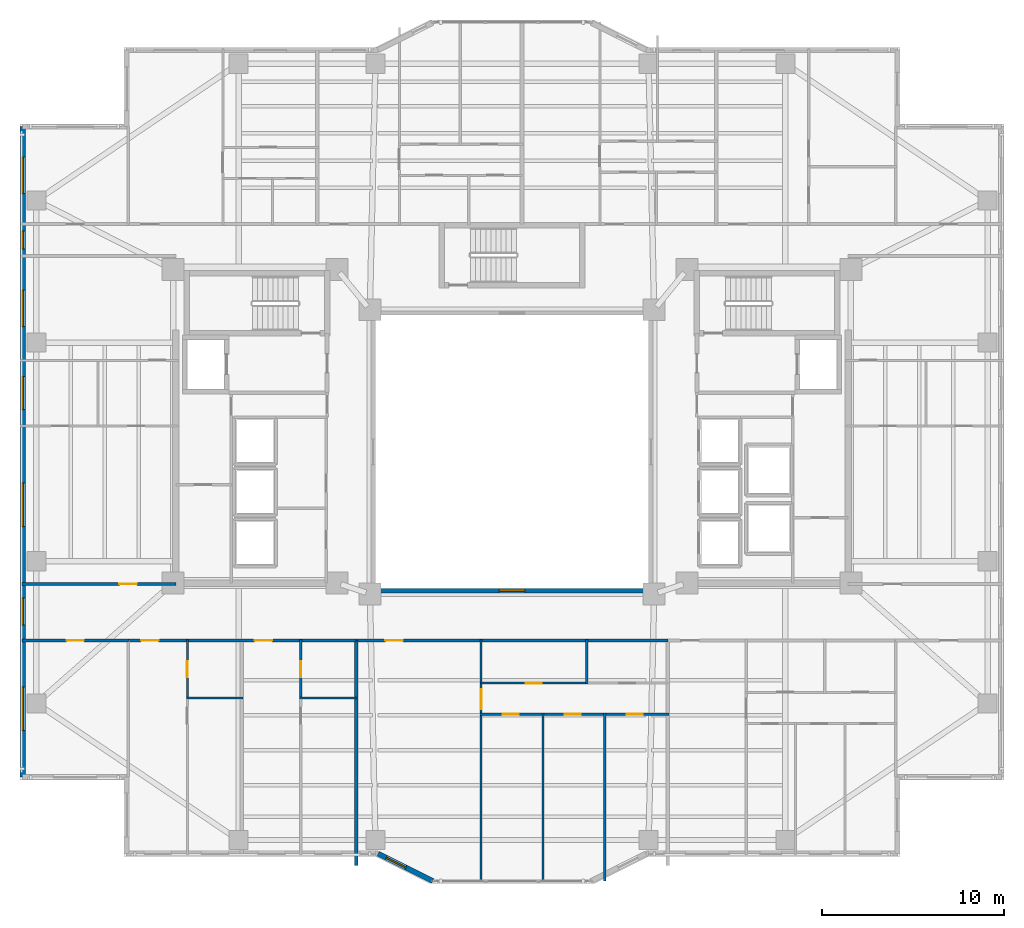
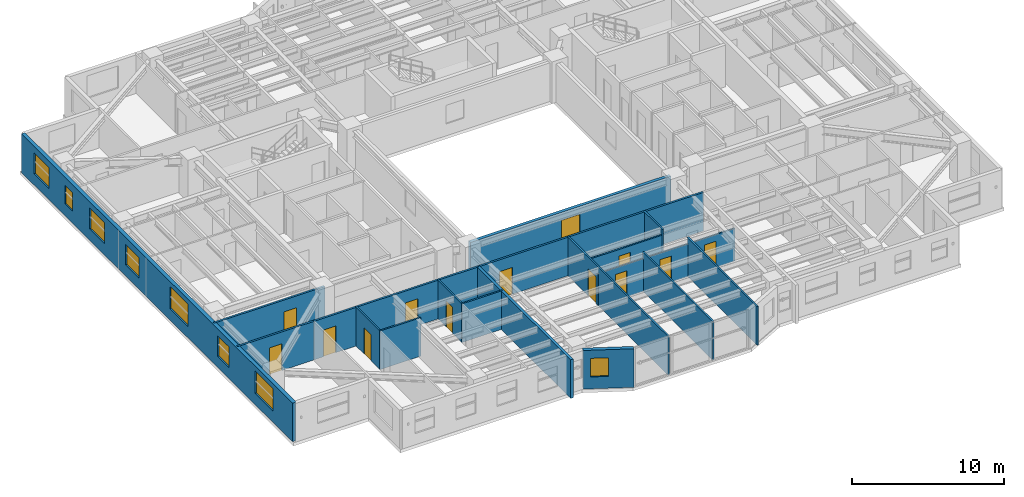
# One storey, part 6 of 19: 18 walls, 12 doors, 9 windows, 21 openings.
"""IFC4 building model written with IfcOpenShell, lengths in metres."""

from ifc_helpers import new_model, si_unit, direction, frame, frame_2d, origin, place, context, subcontext, project, spatial, rectangle, extrude, material, layer, layer_set, type_object, element, fill, save


model = new_model("IFC4")

# Units and contexts
model_context = context("Model", 3, precision=1e-05, world=origin(), true_north=direction((0.0, 1.0)))
body_context = subcontext(model_context, "Body", "Model", "MODEL_VIEW")
ifc_project = project(units=[si_unit("LENGTHUNIT", "METRE"), si_unit("AREAUNIT", "SQUARE_METRE"), si_unit("VOLUMEUNIT", "CUBIC_METRE"), si_unit("PLANEANGLEUNIT", "RADIAN"), si_unit("MASSUNIT", "GRAM", prefix="KILO")], contexts=[model_context])

# Site, building, storey
site_placement = place(None, origin())
site = spatial("IfcSite", under=ifc_project, at=site_placement, CompositionType="ELEMENT")
building_placement = place(site_placement, origin())
building = spatial("IfcBuilding", under=site, at=building_placement, Name="Tarnavaz Court Tower", CompositionType="ELEMENT")
storey_placement = place(building_placement, frame((0.0, 0.0, 81.64990234375)))
storey = spatial("IfcBuildingStorey", under=building, at=storey_placement, Name="L21", CompositionType="ELEMENT", Elevation=81.64990234375)

# Wall, openings, windows
ifc_material_1 = material(Name="Precast Concrete C40/50", Category="concrete")
ifc_layer_1 = layer(ifc_material_1, 0.280029296875)
ifc_layer_set_1 = layer_set([ifc_layer_1], Name="Precast Concrete C40/50")
wall_type_1 = type_object("IfcWallType", Name="WL-EXT-280", PredefinedType="SOLIDWALL", material=ifc_layer_set_1)
wall_1_placement = place(storey_placement, frame((-26.85009765625, -17.85009765625, 0.0), z_axis=(0.0, 0.0, 1.0), x_axis=(0.0, 1.0, 0.0)))
wall_1 = element("IfcWall", 1, at=wall_1_placement, inside=storey, type_object=wall_type_1, Name="L21 Exterior Terracotta Facade Wall 02", PredefinedType="SOLIDWALL", context=body_context, shape_type="SweptSolid", body=[
    extrude(rectangle(XDim=35.7001953125, YDim=0.280029296875, at=frame_2d((17.85009765625, 0.0))), origin(), (0.0, 0.0, 1.0), 3.10009765625),
])
opening_1_placement = place(wall_1_placement, frame((2.550048828125, 0.0, 0.89990234375)))
opening_1 = element("IfcOpeningElement", 2, at=opening_1_placement, cuts=wall_1, Name="Opening W06", PredefinedType="OPENING", context=body_context, shape_type="SweptSolid", body=[
    extrude(rectangle(XDim=2.39990234375, YDim=1.800048828125, at=frame_2d((1.199951171875, 0.89990234375))), frame((0.0, 0.14990234375, 0.0), z_axis=(0.0, -1.0, 0.0), x_axis=(1.0, 0.0, 0.0)), (0.0, 0.0, 1.0), 0.300048828125),
])
opening_2_placement = place(wall_1_placement, frame((8.342529296875, 0.0, 0.89990234375)))
opening_2 = element("IfcOpeningElement", 3, at=opening_2_placement, cuts=wall_1, Name="Opening W03", PredefinedType="OPENING", context=body_context, shape_type="SweptSolid", body=[
    extrude(rectangle(XDim=1.5, YDim=1.64990234375, at=frame_2d((0.75, 0.824951171875))), frame((0.0, 0.14990234375, 0.0), z_axis=(0.0, -1.0, 0.0), x_axis=(1.0, 0.0, 0.0)), (0.0, 0.0, 1.0), 0.300048828125),
])
opening_3_placement = place(wall_1_placement, frame((13.75, 0.0, 0.89990234375)))
opening_3 = element("IfcOpeningElement", 4, at=opening_3_placement, cuts=wall_1, Name="Opening W06", PredefinedType="OPENING", context=body_context, shape_type="SweptSolid", body=[
    extrude(rectangle(XDim=2.39990234375, YDim=1.800048828125, at=frame_2d((1.199951171875, 0.89990234375))), frame((0.0, 0.14990234375, 0.0), z_axis=(0.0, -1.0, 0.0), x_axis=(1.0, 0.0, 0.0)), (0.0, 0.0, 1.0), 0.300048828125),
])
opening_4_placement = place(wall_1_placement, frame((20.175048828125, 0.0, 0.89990234375)))
opening_4 = element("IfcOpeningElement", 5, at=opening_4_placement, cuts=wall_1, Name="Opening W01", PredefinedType="OPENING", context=body_context, shape_type="SweptSolid", body=[
    extrude(rectangle(XDim=1.800048828125, YDim=1.64990234375, at=frame_2d((0.89990234375, 0.824951171875))), frame((0.0, 0.14990234375, 0.0), z_axis=(0.0, -1.0, 0.0), x_axis=(1.0, 0.0, 0.0)), (0.0, 0.0, 1.0), 0.300048828125),
])
opening_5_placement = place(wall_1_placement, frame((24.72509765625, 0.0, 0.89990234375)))
opening_5 = element("IfcOpeningElement", 6, at=opening_5_placement, cuts=wall_1, Name="Opening W08", PredefinedType="OPENING", context=body_context, shape_type="SweptSolid", body=[
    extrude(rectangle(XDim=2.0, YDim=1.699951171875, at=frame_2d((1.0, 0.85009765625))), frame((0.0, 0.14990234375, 0.0), z_axis=(0.0, -1.0, 0.0), x_axis=(1.0, 0.0, 0.0)), (0.0, 0.0, 1.0), 0.300048828125),
])
opening_6_placement = place(wall_1_placement, frame((28.97509765625, 0.0, 0.949951171875)))
opening_6 = element("IfcOpeningElement", 7, at=opening_6_placement, cuts=wall_1, Name="Opening W14", PredefinedType="OPENING", context=body_context, shape_type="SweptSolid", body=[
    extrude(rectangle(XDim=1.0, YDim=1.5, at=frame_2d((0.5, 0.75))), frame((0.0, 0.14990234375, 0.0), z_axis=(0.0, -1.0, 0.0), x_axis=(1.0, 0.0, 0.0)), (0.0, 0.0, 1.0), 0.300048828125),
])
opening_7_placement = place(wall_1_placement, frame((32.02490234375, 0.0, 0.89990234375)))
opening_7 = element("IfcOpeningElement", 8, at=opening_7_placement, cuts=wall_1, Name="Opening W08", PredefinedType="OPENING", context=body_context, shape_type="SweptSolid", body=[
    extrude(rectangle(XDim=2.0, YDim=1.699951171875, at=frame_2d((1.0, 0.85009765625))), frame((0.0, 0.14990234375, 0.0), z_axis=(0.0, -1.0, 0.0), x_axis=(1.0, 0.0, 0.0)), (0.0, 0.0, 1.0), 0.300048828125),
])
ifc_material_2 = material(Name="Double-Glazed Solar Low-E Glass", Category="glass")
window_type_1 = type_object("IfcWindowType", Name="WN-APT-1000", PartitioningType="SINGLE_PANEL", PredefinedType="WINDOW", material=ifc_material_2)
window_1_placement = place(opening_6_placement, origin())
window_1 = element("IfcWindow", 9, at=window_1_placement, inside=storey, type_object=window_type_1, Name="L21 North-West Corner Corridor Window", OverallHeight=1.5, OverallWidth=1.0, PartitioningType="SINGLE_PANEL", PredefinedType="WINDOW", context=body_context, shape_type="SweptSolid", body=[
    extrude(rectangle(XDim=1.0, YDim=1.5, at=frame_2d((0.5, 0.75))), frame((0.0, 0.030029296875, 0.0), z_axis=(0.0, -1.0, 0.0), x_axis=(1.0, 0.0, 0.0)), (0.0, 0.0, 1.0), 0.06005859375),
])
fill(opening_6, window_1)
window_type_2 = type_object("IfcWindowType", Name="WN-APT-1500", PartitioningType="DOUBLE_PANEL_VERTICAL", PredefinedType="WINDOW", material=ifc_material_2)
window_2_placement = place(opening_2_placement, origin())
window_2 = element("IfcWindow", 10, at=window_2_placement, inside=storey, type_object=window_type_2, Name="L21 South-West Corner Corridor Window", OverallHeight=1.64990234375, OverallWidth=1.5, PartitioningType="SINGLE_PANEL", PredefinedType="WINDOW", context=body_context, shape_type="SweptSolid", body=[
    extrude(rectangle(XDim=1.5, YDim=1.64990234375, at=frame_2d((0.75, 0.824951171875))), frame((0.0, 0.030029296875, 0.0), z_axis=(0.0, -1.0, 0.0), x_axis=(1.0, 0.0, 0.0)), (0.0, 0.0, 1.0), 0.06005859375),
])
fill(opening_2, window_2)
window_type_3 = type_object("IfcWindowType", Name="WN-APT-1800", PartitioningType="DOUBLE_PANEL_VERTICAL", PredefinedType="WINDOW", material=ifc_material_2)
window_3_placement = place(opening_4_placement, origin())
window_3 = element("IfcWindow", 11, at=window_3_placement, inside=storey, type_object=window_type_3, Name="L21 Flat 09 Kitchen Window", OverallHeight=1.64990234375, OverallWidth=1.800048828125, PartitioningType="SINGLE_PANEL", PredefinedType="WINDOW", context=body_context, shape_type="SweptSolid", body=[
    extrude(rectangle(XDim=1.800048828125, YDim=1.64990234375, at=frame_2d((0.89990234375, 0.824951171875))), frame((0.0, 0.030029296875, 0.0), z_axis=(0.0, -1.0, 0.0), x_axis=(1.0, 0.0, 0.0)), (0.0, 0.0, 1.0), 0.06005859375),
])
fill(opening_4, window_3)
window_type_4 = type_object("IfcWindowType", Name="WN-APT-2000", PartitioningType="DOUBLE_PANEL_VERTICAL", PredefinedType="WINDOW", material=ifc_material_2)
window_4_placement = place(opening_5_placement, origin())
window_4 = element("IfcWindow", 12, at=window_4_placement, inside=storey, type_object=window_type_4, Name="L21 Flat 09 Study Room Window", OverallHeight=1.699951171875, OverallWidth=2.0, PartitioningType="SINGLE_PANEL", PredefinedType="WINDOW", context=body_context, shape_type="SweptSolid", body=[
    extrude(rectangle(XDim=2.0, YDim=1.699951171875, at=frame_2d((1.0, 0.85009765625))), frame((0.0, 0.030029296875, 0.0), z_axis=(0.0, -1.0, 0.0), x_axis=(1.0, 0.0, 0.0)), (0.0, 0.0, 1.0), 0.06005859375),
])
fill(opening_5, window_4)
window_5_placement = place(opening_7_placement, origin())
window_5 = element("IfcWindow", 13, at=window_5_placement, inside=storey, type_object=window_type_4, Name="L21 North-West Corner Sunroom Study Window", OverallHeight=1.699951171875, OverallWidth=2.0, PartitioningType="SINGLE_PANEL", PredefinedType="WINDOW", context=body_context, shape_type="SweptSolid", body=[
    extrude(rectangle(XDim=2.0, YDim=1.699951171875, at=frame_2d((1.0, 0.85009765625))), frame((0.0, 0.030029296875, 0.0), z_axis=(0.0, -1.0, 0.0), x_axis=(1.0, 0.0, 0.0)), (0.0, 0.0, 1.0), 0.06005859375),
])
fill(opening_7, window_5)
window_type_5 = type_object("IfcWindowType", Name="WN-APT-2400", PartitioningType="TRIPLE_PANEL_VERTICAL", PredefinedType="WINDOW", material=ifc_material_2)
window_6_placement = place(opening_1_placement, origin())
window_6 = element("IfcWindow", 14, at=window_6_placement, inside=storey, type_object=window_type_5, Name="L21 South-West Corner Reading Room Window", OverallHeight=1.800048828125, OverallWidth=2.39990234375, PartitioningType="SINGLE_PANEL", PredefinedType="WINDOW", context=body_context, shape_type="SweptSolid", body=[
    extrude(rectangle(XDim=2.39990234375, YDim=1.800048828125, at=frame_2d((1.199951171875, 0.89990234375))), frame((0.0, 0.030029296875, 0.0), z_axis=(0.0, -1.0, 0.0), x_axis=(1.0, 0.0, 0.0)), (0.0, 0.0, 1.0), 0.06005859375),
])
fill(opening_1, window_6)
window_7_placement = place(opening_3_placement, origin())
window_7 = element("IfcWindow", 15, at=window_7_placement, inside=storey, type_object=window_type_5, Name="L21 Flat 09 Studio Living and Sleeping Room Window", OverallHeight=1.800048828125, OverallWidth=2.39990234375, PartitioningType="SINGLE_PANEL", PredefinedType="WINDOW", context=body_context, shape_type="SweptSolid", body=[
    extrude(rectangle(XDim=2.39990234375, YDim=1.800048828125, at=frame_2d((1.199951171875, 0.89990234375))), frame((0.0, 0.030029296875, 0.0), z_axis=(0.0, -1.0, 0.0), x_axis=(1.0, 0.0, 0.0)), (0.0, 0.0, 1.0), 0.06005859375),
])
fill(opening_3, window_7)

# Wall, opening, window
wall_2_placement = place(storey_placement, frame((-4.35009765625, -23.550048828125, 0.0), z_axis=(0.0, 0.0, 1.0), x_axis=(-0.894427191, 0.4472135955, 0.0)))
wall_2 = element("IfcWall", 16, at=wall_2_placement, inside=storey, type_object=wall_type_1, Name="L21 Exterior Terracotta Facade Wall 18", PredefinedType="SOLIDWALL", context=body_context, shape_type="SweptSolid", body=[
    extrude(rectangle(XDim=3.35400390625, YDim=0.280029296875, at=frame_2d((1.677001953125, 0.0))), origin(), (0.0, 0.0, 1.0), 3.10009765625),
])
opening_8_placement = place(wall_2_placement, frame((1.65283203125, 0.0, 0.949951171875)))
opening_8 = element("IfcOpeningElement", 17, at=opening_8_placement, cuts=wall_2, Name="Opening W05", PredefinedType="OPENING", context=body_context, shape_type="SweptSolid", body=[
    extrude(rectangle(XDim=1.199951171875, YDim=1.5, at=frame_2d((0.60009765625, 0.75))), frame((0.0, 0.14990234375, 0.0), z_axis=(0.0, -1.0, 0.0), x_axis=(1.0, 0.0, 0.0)), (0.0, 0.0, 1.0), 0.300048828125),
])
window_type_6 = type_object("IfcWindowType", Name="WN-APT-1200", PartitioningType="SINGLE_PANEL", PredefinedType="WINDOW", material=ifc_material_2)
window_8_placement = place(opening_8_placement, origin())
window_8 = element("IfcWindow", 18, at=window_8_placement, inside=storey, type_object=window_type_6, Name="L21 Flat 08 Living and Dining Room Window", OverallHeight=1.5, OverallWidth=1.199951171875, PartitioningType="SINGLE_PANEL", PredefinedType="WINDOW", context=body_context, shape_type="SweptSolid", body=[
    extrude(rectangle(XDim=1.199951171875, YDim=1.5, at=frame_2d((0.60009765625, 0.75))), frame((0.0, 0.030029296875, 0.0), z_axis=(0.0, -1.0, 0.0), x_axis=(1.0, 0.0, 0.0)), (0.0, 0.0, 1.0), 0.06005859375),
])
fill(opening_8, window_8)

# Wall, openings, doors
ifc_material_3 = material(Name="Gypsum Fire-Board on Acoustic Metal Stud", Category="masonry")
ifc_layer_2 = layer(ifc_material_3, 0.14990234375)
ifc_layer_set_2 = layer_set([ifc_layer_2], Name="Gypsum Fire-Board on Acoustic Metal Stud")
wall_type_2 = type_object("IfcWallType", Name="WL-FIRE-150", PredefinedType="PARTITIONING", material=ifc_layer_set_2)
wall_3_placement = place(storey_placement, frame((-21.050048828125, -10.35009765625, 0.0), z_axis=(0.0, 0.0, 1.0), x_axis=(1.0, 0.0, 0.0)))
wall_3 = element("IfcWall", 19, at=wall_3_placement, inside=storey, type_object=wall_type_2, Name="L21 SW Horseshoe Wall 073", PredefinedType="PARTITIONING", context=body_context, shape_type="SweptSolid", body=[
    extrude(rectangle(XDim=12.5, YDim=0.14990234375, at=frame_2d((6.25, 0.0))), origin(), (0.0, 0.0, 1.0), 3.10009765625),
])
opening_9_placement = place(wall_3_placement, frame((0.699951171875, 0.0, 0.0)))
opening_9 = element("IfcOpeningElement", 20, at=opening_9_placement, cuts=wall_3, Name="Opening D06", PredefinedType="OPENING", context=body_context, shape_type="SweptSolid", body=[
    extrude(rectangle(XDim=0.9599609375, YDim=2.14990234375, at=frame_2d((0.47998046875, 1.074951171875))), frame((0.0, 0.0849609375, 0.0), z_axis=(0.0, -1.0, 0.0), x_axis=(1.0, 0.0, 0.0)), (0.0, 0.0, 1.0), 0.169921875),
])
opening_10_placement = place(wall_3_placement, frame((6.925048828125, 0.0, 0.0)))
opening_10 = element("IfcOpeningElement", 21, at=opening_10_placement, cuts=wall_3, Name="Opening D06", PredefinedType="OPENING", context=body_context, shape_type="SweptSolid", body=[
    extrude(rectangle(XDim=0.9599609375, YDim=2.14990234375, at=frame_2d((0.47998046875, 1.074951171875))), frame((0.0, 0.0849609375, 0.0), z_axis=(0.0, -1.0, 0.0), x_axis=(1.0, 0.0, 0.0)), (0.0, 0.0, 1.0), 0.169921875),
])
ifc_material_4 = material(Name="Fire-Rated Hardwood Timber Core", Category="wood")
door_type_1 = type_object("IfcDoorType", Name="DR-FD60-950", OperationType="NOTDEFINED", PredefinedType="DOOR", material=ifc_material_4)
door_1_placement = place(opening_9_placement, origin())
door_1 = element("IfcDoor", 22, at=door_1_placement, inside=storey, type_object=door_type_1, Name="L21 Flat 05 Entrance Door", OperationType="SINGLE_SWING_LEFT", OverallHeight=2.14990234375, OverallWidth=0.9599609375, PredefinedType="DOOR", context=body_context, shape_type="SweptSolid", body=[
    extrude(rectangle(XDim=0.9599609375, YDim=2.14990234375, at=frame_2d((0.47998046875, 1.074951171875))), frame((0.0, 0.02490234375, 0.0), z_axis=(0.0, -1.0, 0.0), x_axis=(1.0, 0.0, 0.0)), (0.0, 0.0, 1.0), 0.050048828125),
])
fill(opening_9, door_1)
door_2_placement = place(opening_10_placement, origin())
door_2 = element("IfcDoor", 23, at=door_2_placement, inside=storey, type_object=door_type_1, Name="L21 Flat 06 Entrance Door", OperationType="SINGLE_SWING_RIGHT", OverallHeight=2.14990234375, OverallWidth=0.9599609375, PredefinedType="DOOR", context=body_context, shape_type="SweptSolid", body=[
    extrude(rectangle(XDim=0.9599609375, YDim=2.14990234375, at=frame_2d((0.47998046875, 1.074951171875))), frame((0.0, 0.02490234375, 0.0), z_axis=(0.0, -1.0, 0.0), x_axis=(1.0, 0.0, 0.0)), (0.0, 0.0, 1.0), 0.050048828125),
])
fill(opening_10, door_2)

# Wall, opening, door
wall_4_placement = place(storey_placement, frame((-8.550048828125, -10.35009765625, 0.0), z_axis=(0.0, 0.0, 1.0), x_axis=(1.0, 0.0, 0.0)))
wall_4 = element("IfcWall", 24, at=wall_4_placement, inside=storey, type_object=wall_type_2, Name="L21 Interior Partition 114", PredefinedType="PARTITIONING", context=body_context, shape_type="SweptSolid", body=[
    extrude(rectangle(XDim=17.10009765625, YDim=0.14990234375, at=frame_2d((8.550048828125, 0.0))), origin(), (0.0, 0.0, 1.0), 3.10009765625),
])
opening_11_placement = place(wall_4_placement, frame((1.60009765625, 0.0, 0.0)))
opening_11 = element("IfcOpeningElement", 25, at=opening_11_placement, cuts=wall_4, Name="Opening D06", PredefinedType="OPENING", context=body_context, shape_type="SweptSolid", body=[
    extrude(rectangle(XDim=0.9599609375, YDim=2.14990234375, at=frame_2d((0.47998046875, 1.074951171875))), frame((0.0, 0.0849609375, 0.0), z_axis=(0.0, -1.0, 0.0), x_axis=(1.0, 0.0, 0.0)), (0.0, 0.0, 1.0), 0.169921875),
])
door_3_placement = place(opening_11_placement, origin())
door_3 = element("IfcDoor", 26, at=door_3_placement, inside=storey, type_object=door_type_1, Name="L21 Flat 08 Entrance Door", OperationType="SINGLE_SWING_RIGHT", OverallHeight=2.14990234375, OverallWidth=0.9599609375, PredefinedType="DOOR", context=body_context, shape_type="SweptSolid", body=[
    extrude(rectangle(XDim=0.9599609375, YDim=2.14990234375, at=frame_2d((0.47998046875, 1.074951171875))), frame((0.0, 0.02490234375, 0.0), z_axis=(0.0, -1.0, 0.0), x_axis=(1.0, 0.0, 0.0)), (0.0, 0.0, 1.0), 0.050048828125),
])
fill(opening_11, door_3)

wall_5_placement = place(storey_placement, frame((-26.8798828125, -7.25, 0.0), z_axis=(0.0, 0.0, 1.0), x_axis=(1.0, 0.0, 0.0)))
wall_5 = element("IfcWall", 27, at=wall_5_placement, inside=storey, type_object=wall_type_2, Name="L21 Interior Partition 122", PredefinedType="PARTITIONING", context=body_context, shape_type="SweptSolid", body=[
    extrude(rectangle(XDim=8.429931640625, YDim=0.14990234375, at=frame_2d((4.21484375, 0.0))), origin(), (0.0, 0.0, 1.0), 3.10009765625),
])
opening_12_placement = place(wall_5_placement, frame((5.330078125, 0.0, 0.0)))
opening_12 = element("IfcOpeningElement", 28, at=opening_12_placement, cuts=wall_5, Name="Opening D06", PredefinedType="OPENING", context=body_context, shape_type="SweptSolid", body=[
    extrude(rectangle(XDim=0.9599609375, YDim=2.14990234375, at=frame_2d((0.47998046875, 1.074951171875))), frame((0.0, 0.0849609375, 0.0), z_axis=(0.0, -1.0, 0.0), x_axis=(1.0, 0.0, 0.0)), (0.0, 0.0, 1.0), 0.169921875),
])
door_4_placement = place(opening_12_placement, origin())
door_4 = element("IfcDoor", 29, at=door_4_placement, inside=storey, type_object=door_type_1, Name="L21 Flat 09 Entrance Door", OperationType="SINGLE_SWING_LEFT", OverallHeight=2.14990234375, OverallWidth=0.9599609375, PredefinedType="DOOR", context=body_context, shape_type="SweptSolid", body=[
    extrude(rectangle(XDim=0.9599609375, YDim=2.14990234375, at=frame_2d((0.47998046875, 1.074951171875))), frame((0.0, 0.02490234375, 0.0), z_axis=(0.0, -1.0, 0.0), x_axis=(1.0, 0.0, 0.0)), (0.0, 0.0, 1.0), 0.050048828125),
])
fill(opening_12, door_4)

wall_6_placement = place(storey_placement, frame((-26.8798828125, -10.35009765625, 0.0), z_axis=(0.0, 0.0, 1.0), x_axis=(1.0, 0.0, 0.0)))
wall_6 = element("IfcWall", 30, at=wall_6_placement, inside=storey, type_object=wall_type_2, Name="L21 Interior Partition 132", PredefinedType="PARTITIONING", context=body_context, shape_type="SweptSolid", body=[
    extrude(rectangle(XDim=5.829833984375, YDim=0.14990234375, at=frame_2d((2.9150390625, 0.0))), origin(), (0.0, 0.0, 1.0), 3.10009765625),
])
opening_13_placement = place(wall_6_placement, frame((2.43994140625, 0.0, 0.0)))
opening_13 = element("IfcOpeningElement", 31, at=opening_13_placement, cuts=wall_6, Name="Opening D13", PredefinedType="OPENING", context=body_context, shape_type="SweptSolid", body=[
    extrude(rectangle(XDim=0.949951171875, YDim=2.14990234375, at=frame_2d((0.47509765625, 1.074951171875))), frame((0.0, 0.0849609375, 0.0), z_axis=(0.0, -1.0, 0.0), x_axis=(1.0, 0.0, 0.0)), (0.0, 0.0, 1.0), 0.169921875),
])
ifc_material_5 = material(Name="Engineered Oak Timber", Category="wood")
door_type_2 = type_object("IfcDoorType", Name="DR-INT-950", OperationType="NOTDEFINED", PredefinedType="DOOR", material=ifc_material_5)
door_5_placement = place(opening_13_placement, origin())
door_5 = element("IfcDoor", 32, at=door_5_placement, inside=storey, type_object=door_type_2, Name="L21 SW Reading Room Door", OperationType="SINGLE_SWING_LEFT", OverallHeight=2.14990234375, OverallWidth=0.949951171875, PredefinedType="DOOR", context=body_context, shape_type="SweptSolid", body=[
    extrude(rectangle(XDim=0.949951171875, YDim=2.14990234375, at=frame_2d((0.47509765625, 1.074951171875))), frame((0.0, 0.02490234375, 0.0), z_axis=(0.0, -1.0, 0.0), x_axis=(1.0, 0.0, 0.0)), (0.0, 0.0, 1.0), 0.050048828125),
])
fill(opening_13, door_5)

# Wall
ifc_material_6 = material(Name="Autoclaved Aerated Concrete Blockwork", Category="masonry")
ifc_layer_3 = layer(ifc_material_6, 0.199951171875)
ifc_layer_set_3 = layer_set([ifc_layer_3], Name="Autoclaved Aerated Concrete Blockwork")
wall_type_3 = type_object("IfcWallType", Name="WL-FIRE-200", PredefinedType="SOLIDWALL", material=ifc_layer_set_3)
wall_7_placement = place(storey_placement, frame((-8.550048828125, -22.7041015625, 0.0), z_axis=(0.0, 0.0, 1.0), x_axis=(0.0, 1.0, 0.0)))
element("IfcWall", 33, at=wall_7_placement, inside=storey, type_object=wall_type_3, Name="L21 Party Wall 112", PredefinedType="SOLIDWALL", context=body_context, shape_type="SweptSolid", body=[
    extrude(rectangle(XDim=12.35400390625, YDim=0.199951171875, at=frame_2d((6.177001953125, 0.0))), origin(), (0.0, 0.0, 1.0), 3.10009765625),
])

# Wall, opening, door
ifc_material_7 = material(Name="Moisture-Resistant Gypsum Board Partition", Category="masonry")
ifc_layer_4 = layer(ifc_material_7, 0.1201171875)
ifc_layer_set_4 = layer_set([ifc_layer_4], Name="Moisture-Resistant Gypsum Board Partition")
wall_type_4 = type_object("IfcWallType", Name="WL-PART-120", PredefinedType="PARTITIONING", material=ifc_layer_set_4)
wall_8_placement = place(storey_placement, frame((-17.81494140625, -13.510009765625, 0.0), z_axis=(0.0, 0.0, 1.0), x_axis=(0.0, 1.0, 0.0)))
wall_8 = element("IfcWall", 34, at=wall_8_placement, inside=storey, type_object=wall_type_4, Name="L21 Interior Partition 100", PredefinedType="PARTITIONING", context=body_context, shape_type="SweptSolid", body=[
    extrude(rectangle(XDim=3.219970703125, YDim=0.1201171875, at=frame_2d((1.60986328125, 0.0))), origin(), (0.0, 0.0, 1.0), 3.10009765625),
])
opening_14_placement = place(wall_8_placement, frame((1.139892578125, 0.0, 0.0)))
opening_14 = element("IfcOpeningElement", 35, at=opening_14_placement, cuts=wall_8, Name="Opening D14", PredefinedType="OPENING", context=body_context, shape_type="SweptSolid", body=[
    extrude(rectangle(XDim=0.8798828125, YDim=2.10009765625, at=frame_2d((0.43994140625, 1.050048828125))), frame((0.0, 0.070068359375, 0.0), z_axis=(0.0, -1.0, 0.0), x_axis=(1.0, 0.0, 0.0)), (0.0, 0.0, 1.0), 0.14013671875),
])
door_type_3 = type_object("IfcDoorType", Name="DR-INT-900", OperationType="NOTDEFINED", PredefinedType="DOOR", material=ifc_material_5)
door_6_placement = place(opening_14_placement, origin())
door_6 = element("IfcDoor", 36, at=door_6_placement, inside=storey, type_object=door_type_3, Name="L21 Flat 05 Bathroom Door", OperationType="SINGLE_SWING_LEFT", OverallHeight=2.10009765625, OverallWidth=0.8798828125, PredefinedType="DOOR", context=body_context, shape_type="SweptSolid", body=[
    extrude(rectangle(XDim=0.8798828125, YDim=2.10009765625, at=frame_2d((0.43994140625, 1.050048828125))), frame((0.0, 0.02490234375, 0.0), z_axis=(0.0, -1.0, 0.0), x_axis=(1.0, 0.0, 0.0)), (0.0, 0.0, 1.0), 0.050048828125),
])
fill(opening_14, door_6)

# Wall
wall_9_placement = place(storey_placement, frame((-17.875, -13.510009765625, 0.0), z_axis=(0.0, 0.0, 1.0), x_axis=(1.0, 0.0, 0.0)))
element("IfcWall", 37, at=wall_9_placement, inside=storey, type_object=wall_type_4, Name="L21 Interior Partition 101", PredefinedType="PARTITIONING", context=body_context, shape_type="SweptSolid", body=[
    extrude(rectangle(XDim=3.110107421875, YDim=0.1201171875, at=frame_2d((1.55517578125, 0.0))), origin(), (0.0, 0.0, 1.0), 3.10009765625),
])

# Wall, opening, door
wall_10_placement = place(storey_placement, frame((-11.590087890625, -13.510009765625, 0.0), z_axis=(0.0, 0.0, 1.0), x_axis=(0.0, 1.0, 0.0)))
wall_10 = element("IfcWall", 38, at=wall_10_placement, inside=storey, type_object=wall_type_4, Name="L21 Interior Partition 103", PredefinedType="PARTITIONING", context=body_context, shape_type="SweptSolid", body=[
    extrude(rectangle(XDim=3.219970703125, YDim=0.1201171875, at=frame_2d((1.60986328125, 0.0))), origin(), (0.0, 0.0, 1.0), 3.10009765625),
])
opening_15_placement = place(wall_10_placement, frame((1.139892578125, 0.0, 0.0)))
opening_15 = element("IfcOpeningElement", 39, at=opening_15_placement, cuts=wall_10, Name="Opening D14", PredefinedType="OPENING", context=body_context, shape_type="SweptSolid", body=[
    extrude(rectangle(XDim=0.8798828125, YDim=2.10009765625, at=frame_2d((0.43994140625, 1.050048828125))), frame((0.0, 0.070068359375, 0.0), z_axis=(0.0, -1.0, 0.0), x_axis=(1.0, 0.0, 0.0)), (0.0, 0.0, 1.0), 0.14013671875),
])
door_7_placement = place(opening_15_placement, origin())
door_7 = element("IfcDoor", 40, at=door_7_placement, inside=storey, type_object=door_type_3, Name="L21 Flat 06 Bathroom Door", OperationType="SINGLE_SWING_RIGHT", OverallHeight=2.10009765625, OverallWidth=0.8798828125, PredefinedType="DOOR", context=body_context, shape_type="SweptSolid", body=[
    extrude(rectangle(XDim=0.8798828125, YDim=2.10009765625, at=frame_2d((0.43994140625, 1.050048828125))), frame((0.0, 0.02490234375, 0.0), z_axis=(0.0, -1.0, 0.0), x_axis=(1.0, 0.0, 0.0)), (0.0, 0.0, 1.0), 0.050048828125),
])
fill(opening_15, door_7)

# Wall
wall_11_placement = place(storey_placement, frame((-11.64990234375, -13.510009765625, 0.0), z_axis=(0.0, 0.0, 1.0), x_axis=(1.0, 0.0, 0.0)))
element("IfcWall", 41, at=wall_11_placement, inside=storey, type_object=wall_type_4, Name="L21 Interior Partition 104", PredefinedType="PARTITIONING", context=body_context, shape_type="SweptSolid", body=[
    extrude(rectangle(XDim=3.10986328125, YDim=0.1201171875, at=frame_2d((1.554931640625, 0.0))), origin(), (0.0, 0.0, 1.0), 3.10009765625),
])

# Wall, opening, door
wall_12_placement = place(storey_placement, frame((-1.696044921875, -23.580078125, 0.0), z_axis=(0.0, 0.0, 1.0), x_axis=(0.0, 1.0, 0.0)))
wall_12 = element("IfcWall", 42, at=wall_12_placement, inside=storey, type_object=wall_type_4, Name="L21 Interior Partition 115", PredefinedType="PARTITIONING", context=body_context, shape_type="SweptSolid", body=[
    extrude(rectangle(XDim=13.2900390625, YDim=0.1201171875, at=frame_2d((6.64501953125, 0.0))), origin(), (0.0, 0.0, 1.0), 3.10009765625),
])
opening_16_placement = place(wall_12_placement, frame((9.465087890625, 0.0, 0.0)))
opening_16 = element("IfcOpeningElement", 43, at=opening_16_placement, cuts=wall_12, Name="Opening D12", PredefinedType="OPENING", context=body_context, shape_type="SweptSolid", body=[
    extrude(rectangle(XDim=1.080078125, YDim=2.14990234375, at=frame_2d((0.5400390625, 1.074951171875))), frame((0.0, 0.070068359375, 0.0), z_axis=(0.0, -1.0, 0.0), x_axis=(1.0, 0.0, 0.0)), (0.0, 0.0, 1.0), 0.14013671875),
])
door_type_4 = type_object("IfcDoorType", Name="DR-INT-1100", OperationType="NOTDEFINED", PredefinedType="DOOR", material=ifc_material_5)
door_8_placement = place(opening_16_placement, origin())
door_8 = element("IfcDoor", 44, at=door_8_placement, inside=storey, type_object=door_type_4, Name="L21 Flat 08 Foyer Door", OperationType="SINGLE_SWING_LEFT", OverallHeight=2.14990234375, OverallWidth=1.080078125, PredefinedType="DOOR", context=body_context, shape_type="SweptSolid", body=[
    extrude(rectangle(XDim=1.080078125, YDim=2.14990234375, at=frame_2d((0.5400390625, 1.074951171875))), frame((0.0, 0.02490234375, 0.0), z_axis=(0.0, -1.0, 0.0), x_axis=(1.0, 0.0, 0.0)), (0.0, 0.0, 1.0), 0.050048828125),
])
fill(opening_16, door_8)

wall_13_placement = place(storey_placement, frame((-1.696044921875, -12.68994140625, 0.0), z_axis=(0.0, 0.0, 1.0), x_axis=(1.0, 0.0, 0.0)))
wall_13 = element("IfcWall", 45, at=wall_13_placement, inside=storey, type_object=wall_type_4, Name="L21 Interior Partition 116", PredefinedType="PARTITIONING", context=body_context, shape_type="SweptSolid", body=[
    extrude(rectangle(XDim=5.800048828125, YDim=0.1201171875, at=frame_2d((2.89990234375, 0.0))), origin(), (0.0, 0.0, 1.0), 2.635009765625),
])
opening_17_placement = place(wall_13_placement, frame((2.4599609375, 0.0, 0.0)))
opening_17 = element("IfcOpeningElement", 46, at=opening_17_placement, cuts=wall_13, Name="Opening D14", PredefinedType="OPENING", context=body_context, shape_type="SweptSolid", body=[
    extrude(rectangle(XDim=0.8798828125, YDim=2.10009765625, at=frame_2d((0.43994140625, 1.050048828125))), frame((0.0, 0.070068359375, 0.0), z_axis=(0.0, -1.0, 0.0), x_axis=(1.0, 0.0, 0.0)), (0.0, 0.0, 1.0), 0.14013671875),
])
door_9_placement = place(opening_17_placement, origin())
door_9 = element("IfcDoor", 47, at=door_9_placement, inside=storey, type_object=door_type_3, Name="L21 Flat 08 Kitchen Door", OperationType="SINGLE_SWING_RIGHT", OverallHeight=2.10009765625, OverallWidth=0.8798828125, PredefinedType="DOOR", context=body_context, shape_type="SweptSolid", body=[
    extrude(rectangle(XDim=0.8798828125, YDim=2.10009765625, at=frame_2d((0.43994140625, 1.050048828125))), frame((0.0, 0.02490234375, 0.0), z_axis=(0.0, -1.0, 0.0), x_axis=(1.0, 0.0, 0.0)), (0.0, 0.0, 1.0), 0.050048828125),
])
fill(opening_17, door_9)

# Wall, openings, doors
wall_14_placement = place(storey_placement, frame((-1.756103515625, -14.39990234375, 0.0), z_axis=(0.0, 0.0, 1.0), x_axis=(1.0, 0.0, 0.0)))
wall_14 = element("IfcWall", 48, at=wall_14_placement, inside=storey, type_object=wall_type_4, Name="L21 Interior Partition 118", PredefinedType="PARTITIONING", context=body_context, shape_type="SweptSolid", body=[
    extrude(rectangle(XDim=10.3662109375, YDim=0.1201171875, at=frame_2d((5.18310546875, 0.0))), origin(), (0.0, 0.0, 1.0), 2.635009765625),
])
opening_18_placement = place(wall_14_placement, frame((1.256103515625, 0.0, 0.0)))
opening_18 = element("IfcOpeningElement", 49, at=opening_18_placement, cuts=wall_14, Name="Opening D14", PredefinedType="OPENING", context=body_context, shape_type="SweptSolid", body=[
    extrude(rectangle(XDim=0.8798828125, YDim=2.10009765625, at=frame_2d((0.43994140625, 1.050048828125))), frame((0.0, 0.070068359375, 0.0), z_axis=(0.0, -1.0, 0.0), x_axis=(1.0, 0.0, 0.0)), (0.0, 0.0, 1.0), 0.14013671875),
])
opening_19_placement = place(wall_14_placement, frame((4.64794921875, 0.0, 0.0)))
opening_19 = element("IfcOpeningElement", 50, at=opening_19_placement, cuts=wall_14, Name="Opening D14", PredefinedType="OPENING", context=body_context, shape_type="SweptSolid", body=[
    extrude(rectangle(XDim=0.8798828125, YDim=2.10009765625, at=frame_2d((0.43994140625, 1.050048828125))), frame((0.0, 0.070068359375, 0.0), z_axis=(0.0, -1.0, 0.0), x_axis=(1.0, 0.0, 0.0)), (0.0, 0.0, 1.0), 0.14013671875),
])
opening_20_placement = place(wall_14_placement, frame((8.0400390625, 0.0, 0.0)))
opening_20 = element("IfcOpeningElement", 51, at=opening_20_placement, cuts=wall_14, Name="Opening D14", PredefinedType="OPENING", context=body_context, shape_type="SweptSolid", body=[
    extrude(rectangle(XDim=0.8798828125, YDim=2.10009765625, at=frame_2d((0.43994140625, 1.050048828125))), frame((0.0, 0.070068359375, 0.0), z_axis=(0.0, -1.0, 0.0), x_axis=(1.0, 0.0, 0.0)), (0.0, 0.0, 1.0), 0.14013671875),
])
door_10_placement = place(opening_18_placement, origin())
door_10 = element("IfcDoor", 52, at=door_10_placement, inside=storey, type_object=door_type_3, Name="L21 Flat 08 Bedroom 1 Door", OperationType="SINGLE_SWING_RIGHT", OverallHeight=2.10009765625, OverallWidth=0.8798828125, PredefinedType="DOOR", context=body_context, shape_type="SweptSolid", body=[
    extrude(rectangle(XDim=0.8798828125, YDim=2.10009765625, at=frame_2d((0.43994140625, 1.050048828125))), frame((0.0, 0.02490234375, 0.0), z_axis=(0.0, -1.0, 0.0), x_axis=(1.0, 0.0, 0.0)), (0.0, 0.0, 1.0), 0.050048828125),
])
fill(opening_18, door_10)
door_11_placement = place(opening_19_placement, origin())
door_11 = element("IfcDoor", 53, at=door_11_placement, inside=storey, type_object=door_type_3, Name="L21 Flat 08 Bedroom 2 Door", OperationType="SINGLE_SWING_LEFT", OverallHeight=2.10009765625, OverallWidth=0.8798828125, PredefinedType="DOOR", context=body_context, shape_type="SweptSolid", body=[
    extrude(rectangle(XDim=0.8798828125, YDim=2.10009765625, at=frame_2d((0.43994140625, 1.050048828125))), frame((0.0, 0.02490234375, 0.0), z_axis=(0.0, -1.0, 0.0), x_axis=(1.0, 0.0, 0.0)), (0.0, 0.0, 1.0), 0.050048828125),
])
fill(opening_19, door_11)
door_12_placement = place(opening_20_placement, origin())
door_12 = element("IfcDoor", 54, at=door_12_placement, inside=storey, type_object=door_type_3, Name="L21 Flat 08 Bedroom 3 Door", OperationType="SINGLE_SWING_RIGHT", OverallHeight=2.10009765625, OverallWidth=0.8798828125, PredefinedType="DOOR", context=body_context, shape_type="SweptSolid", body=[
    extrude(rectangle(XDim=0.8798828125, YDim=2.10009765625, at=frame_2d((0.43994140625, 1.050048828125))), frame((0.0, 0.02490234375, 0.0), z_axis=(0.0, -1.0, 0.0), x_axis=(1.0, 0.0, 0.0)), (0.0, 0.0, 1.0), 0.050048828125),
])
fill(opening_20, door_12)

# Walls
wall_15_placement = place(storey_placement, frame((4.10400390625, -12.75, 0.0), z_axis=(0.0, 0.0, 1.0), x_axis=(0.0, 1.0, 0.0)))
element("IfcWall", 55, at=wall_15_placement, inside=storey, type_object=wall_type_4, Name="L21 Interior Partition 119", PredefinedType="PARTITIONING", context=body_context, shape_type="SweptSolid", body=[
    extrude(rectangle(XDim=2.4599609375, YDim=0.1201171875, at=frame_2d((1.22998046875, 0.0))), origin(), (0.0, 0.0, 1.0), 3.10009765625),
])
wall_16_placement = place(storey_placement, frame((1.696044921875, -23.580078125, 0.0), z_axis=(0.0, 0.0, 1.0), x_axis=(0.0, 1.0, 0.0)))
element("IfcWall", 56, at=wall_16_placement, inside=storey, type_object=wall_type_4, Name="L21 Interior Partition 120", PredefinedType="PARTITIONING", context=body_context, shape_type="SweptSolid", body=[
    extrude(rectangle(XDim=9.239990234375, YDim=0.1201171875, at=frame_2d((4.6201171875, 0.0))), origin(), (0.0, 0.0, 1.0), 3.10009765625),
])
wall_17_placement = place(storey_placement, frame((5.087890625, -23.55810546875, 0.0), z_axis=(0.0, 0.0, 1.0), x_axis=(0.0, 1.0, 0.0)))
element("IfcWall", 57, at=wall_17_placement, inside=storey, type_object=wall_type_4, Name="L21 Interior Partition 121", PredefinedType="PARTITIONING", context=body_context, shape_type="SweptSolid", body=[
    extrude(rectangle(XDim=9.218017578125, YDim=0.1201171875, at=frame_2d((4.60888671875, 0.0))), origin(), (0.0, 0.0, 1.0), 3.10009765625),
])

# Wall, opening, window
ifc_layer_5 = layer(ifc_material_1, 0.239990234375)
ifc_layer_set_5 = layer_set([ifc_layer_5], Name="Precast Concrete C40/50")
wall_type_5 = type_object("IfcWallType", Name="WL-WELL-240", PredefinedType="SOLIDWALL", material=ifc_layer_set_5)
wall_18_placement = place(storey_placement, frame((-7.6201171875, -7.6201171875, 0.0), z_axis=(0.0, 0.0, 1.0), x_axis=(1.0, 0.0, 0.0)))
wall_18 = element("IfcWall", 58, at=wall_18_placement, inside=storey, type_object=wall_type_5, Name="L21 Badgir Light-Well Exterior Wall S", PredefinedType="SOLIDWALL", context=body_context, shape_type="SweptSolid", body=[
    extrude(rectangle(XDim=15.240234375, YDim=0.239990234375, at=frame_2d((7.6201171875, 0.0))), origin(), (0.0, 0.0, 1.0), 3.10009765625),
])
opening_21_placement = place(wall_18_placement, frame((6.919921875, 0.0, 0.949951171875)))
opening_21 = element("IfcOpeningElement", 59, at=opening_21_placement, cuts=wall_18, Name="Opening W13", PredefinedType="OPENING", context=body_context, shape_type="SweptSolid", body=[
    extrude(rectangle(XDim=1.39990234375, YDim=1.5, at=frame_2d((0.699951171875, 0.75))), frame((0.0, 0.1298828125, 0.0), z_axis=(0.0, -1.0, 0.0), x_axis=(1.0, 0.0, 0.0)), (0.0, 0.0, 1.0), 0.260009765625),
])
window_type_7 = type_object("IfcWindowType", Name="WN-WEL-1400", PartitioningType="SINGLE_PANEL", PredefinedType="WINDOW", material=ifc_material_2)
window_9_placement = place(opening_21_placement, origin())
window_9 = element("IfcWindow", 60, at=window_9_placement, inside=storey, type_object=window_type_7, Name="L21 Courtyard Gallery Window S", OverallHeight=1.5, OverallWidth=1.39990234375, PartitioningType="SINGLE_PANEL", PredefinedType="WINDOW", context=body_context, shape_type="SweptSolid", body=[
    extrude(rectangle(XDim=1.39990234375, YDim=1.5, at=frame_2d((0.699951171875, 0.75))), frame((0.0, 0.030029296875, 0.0), z_axis=(0.0, -1.0, 0.0), x_axis=(1.0, 0.0, 0.0)), (0.0, 0.0, 1.0), 0.06005859375),
])
fill(opening_21, window_9)

save(model, "model.ifc")
